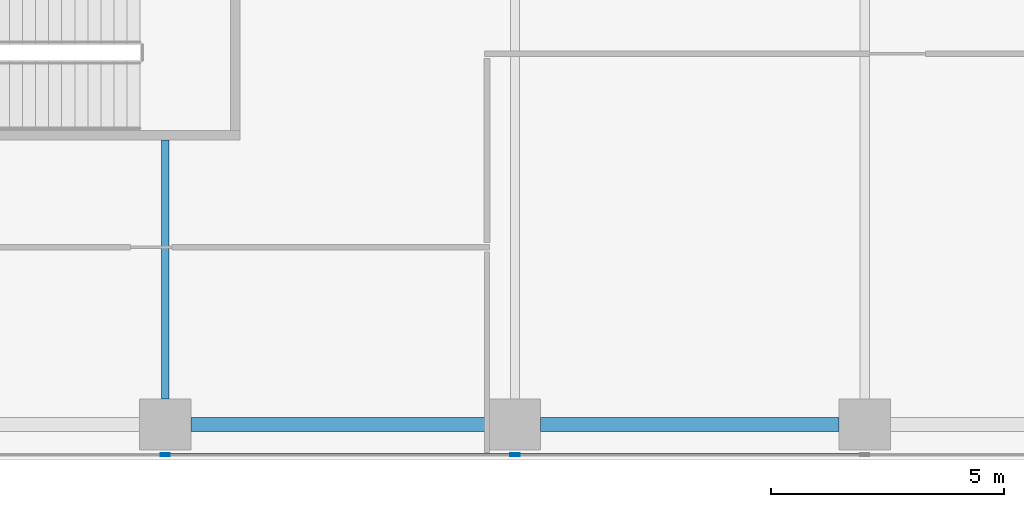
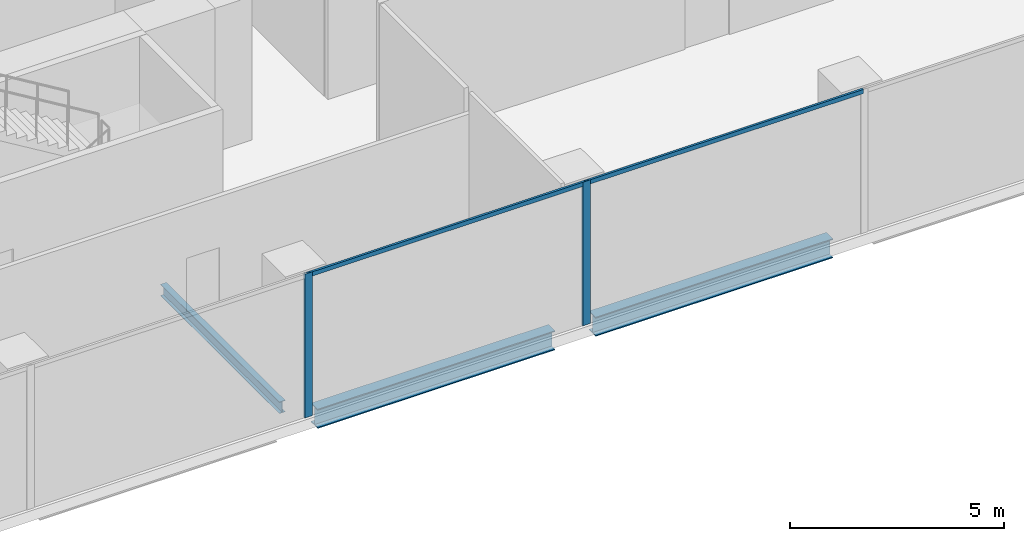
# One storey, part 5 of 33: 4 members, 3 beams, 1 element without a shape of its own.
"""IFC4 building model written with IfcOpenShell, lengths in metres."""

import ifcopenshell
import ifcopenshell.guid

model = None  # the IFC model being written
_history = None  # IfcOwnerHistory: only IFC2X3 demands one
_inside = {}  # id of a spatial element -> (the spatial element, [elements in it])
_under = {}  # id of a project, library or spatial element -> (it, [spatial elements below it])
_declared = {}  # id of a project -> (the project, [libraries it declares])
_typed = {}  # id of a type object -> (the type object, [elements of that type])
_made_of = {}  # id of a material, layer set ... -> (it, [elements and type objects made of it])


def new_model(schema):
    """Start an empty IFC model of exactly this schema.

    Asked for "IFC4X3", IfcOpenShell would pick the latest addendum, in which some entities
    have other attributes; the version numbers below select the first issue.
    IFC2X3 requires an IfcOwnerHistory on every rooted entity: one is made here for all.
    """
    global model, _history
    if schema == "IFC4X3":
        model = ifcopenshell.file(schema_version=(4, 3, 0, 0))
    else:
        model = ifcopenshell.file(schema=schema)
    _inside.clear()
    _under.clear()
    _declared.clear()
    _typed.clear()
    _made_of.clear()
    _history = None
    if model.schema == "IFC2X3":
        org = make("IfcOrganization", Name="unknown")
        user = make(
            "IfcPersonAndOrganization",
            ThePerson=make("IfcPerson", FamilyName="unknown"),
            TheOrganization=org,
        )
        app = make(
            "IfcApplication",
            ApplicationDeveloper=org,
            Version="unknown",
            ApplicationFullName="unknown",
            ApplicationIdentifier="unknown",
        )
        _history = make(
            "IfcOwnerHistory",
            OwningUser=user,
            OwningApplication=app,
            ChangeAction="ADDED",
            CreationDate=0,
        )
    return model


def make(cls, **values):
    """One entity of the class cls with the attributes given. An attribute that is None is left unset."""
    return model.create_entity(
        cls, **{name: value for name, value in values.items() if value is not None}
    )


def rooted(cls, **values):
    """An entity with a GlobalId (a new one), such as an element, a storey or a relation."""
    return make(cls, GlobalId=ifcopenshell.guid.new(), OwnerHistory=_history, **values)


def si_unit(unit_type, name, prefix=None):
    """IfcSIUnit, for example si_unit("LENGTHUNIT", "METRE", prefix="MILLI")."""
    return make("IfcSIUnit", UnitType=unit_type, Prefix=prefix, Name=name)


def assignment(units):
    """IfcUnitAssignment: the units of a project."""
    return None if units is None else make("IfcUnitAssignment", Units=units)


def point(xyz):
    """IfcCartesianPoint."""
    return None if xyz is None else make("IfcCartesianPoint", Coordinates=xyz)


def direction(xyz):
    """IfcDirection."""
    return None if xyz is None else make("IfcDirection", DirectionRatios=xyz)


def frame(location, z_axis=None, x_axis=None):
    """IfcAxis2Placement3D, a coordinate frame: its origin and axes. An axis left out is left unset."""
    return make(
        "IfcAxis2Placement3D",
        Location=point(location),
        Axis=direction(z_axis),
        RefDirection=direction(x_axis),
    )


def frame_2d(location, x_axis=None):
    """IfcAxis2Placement2D, a coordinate frame in the plane: its origin and x axis."""
    return make(
        "IfcAxis2Placement2D", Location=point(location), RefDirection=direction(x_axis)
    )


def origin():
    """The frame at (0, 0, 0) with its axes left unset."""
    return frame((0.0, 0.0, 0.0))


def origin_2d():
    """The frame at (0, 0) in the plane with its x axis left unset."""
    return frame_2d((0.0, 0.0))


def place(relative_to, where):
    """IfcLocalPlacement: puts the frame where relative to a parent placement (None: the world)."""
    return make(
        "IfcLocalPlacement", PlacementRelTo=relative_to, RelativePlacement=where
    )


def context(
    kind, dimensions, precision=None, world=None, true_north=None, identifier=None
):
    """IfcGeometricRepresentationContext, for example the 3D "Model" context."""
    return make(
        "IfcGeometricRepresentationContext",
        ContextIdentifier=identifier,
        ContextType=kind,
        CoordinateSpaceDimension=dimensions,
        Precision=precision,
        WorldCoordinateSystem=world,
        TrueNorth=true_north,
    )


def subcontext(parent, identifier, kind, view, scale=None):
    """IfcGeometricRepresentationSubContext, for example "Body" below "Model"."""
    return make(
        "IfcGeometricRepresentationSubContext",
        ContextIdentifier=identifier,
        ContextType=kind,
        ParentContext=parent,
        TargetScale=scale,
        TargetView=view,
    )


def project(units=None, contexts=None):
    """IfcProject with its units and contexts."""
    return rooted(
        "IfcProject",
        Name="project",
        RepresentationContexts=contexts,
        UnitsInContext=assignment(units),
    )


def spatial(cls, under=None, at=None, **own):
    """A site, building, storey or space (cls), placed at a placement, below another one or the project."""
    s = rooted(cls, ObjectPlacement=at, **own)
    if under is not None:
        _under.setdefault(under.id(), (under, []))[1].append(s)
    return s


def profile(cls, at=None, kind="AREA", **sizes):
    """A parametric profile (cls). Its sizes go by their IFC names, for example OverallWidth=200.0."""
    return make(cls, ProfileType=kind, Position=at, **sizes)


def hollow_rectangle(**sizes):
    """IfcRectangleHollowProfileDef."""
    return profile("IfcRectangleHollowProfileDef", **sizes)


def i_section(**sizes):
    """IfcIShapeProfileDef."""
    return profile("IfcIShapeProfileDef", **sizes)


def extrude(swept, where, along, depth):
    """IfcExtrudedAreaSolid: the profile swept, set in the frame where, extruded along a direction by depth."""
    return make(
        "IfcExtrudedAreaSolid",
        SweptArea=swept,
        Position=where,
        ExtrudedDirection=direction(along),
        Depth=depth,
    )


def shape(context_of_items, identifier, shape_type, items):
    """IfcShapeRepresentation: the items that make up one representation, for example the "Body"."""
    return make(
        "IfcShapeRepresentation",
        ContextOfItems=context_of_items,
        RepresentationIdentifier=identifier,
        RepresentationType=shape_type,
        Items=items,
    )


def source(mapping_origin, context_of_items, identifier, shape_type, items):
    """IfcRepresentationMap: a shape defined once, which mapped items show again and again."""
    return make(
        "IfcRepresentationMap",
        MappingOrigin=mapping_origin,
        MappedRepresentation=shape(context_of_items, identifier, shape_type, items),
    )


def transform(
    local_origin,
    x_axis=None,
    y_axis=None,
    z_axis=None,
    scale=None,
    scale2=None,
    scale3=None,
    uniform=True,
):
    """IfcCartesianTransformationOperator3D, or its non-uniform kind. x_axis, y_axis, z_axis: its Axis1, 2, 3."""
    if uniform:
        return make(
            "IfcCartesianTransformationOperator3D",
            Axis1=direction(x_axis),
            Axis2=direction(y_axis),
            LocalOrigin=point(local_origin),
            Scale=scale,
            Axis3=direction(z_axis),
        )
    return make(
        "IfcCartesianTransformationOperator3DnonUniform",
        Axis1=direction(x_axis),
        Axis2=direction(y_axis),
        LocalOrigin=point(local_origin),
        Scale=scale,
        Axis3=direction(z_axis),
        Scale2=scale2,
        Scale3=scale3,
    )


def mapped(mapping_source, mapping_target):
    """IfcMappedItem: shows the shape of a source again, moved by a transform."""
    return make(
        "IfcMappedItem", MappingSource=mapping_source, MappingTarget=mapping_target
    )


def material(Name=None, Category=None):
    """IfcMaterial."""
    return make("IfcMaterial", Name=Name, Category=Category)


def material_profile(
    of_material, cross_section, Name=None, Category=None, Priority=None
):
    """IfcMaterialProfile: a cross section and its material."""
    return make(
        "IfcMaterialProfile",
        Name=Name,
        Material=of_material,
        Profile=cross_section,
        Priority=Priority,
        Category=Category,
    )


def profile_set(profiles, Name=None, composite=None):
    """IfcMaterialProfileSet."""
    return make(
        "IfcMaterialProfileSet",
        Name=Name,
        MaterialProfiles=profiles,
        CompositeProfile=composite,
    )


def made_of(thing, what):
    """Note that an element or type object is made of a material, layer set ...; save() writes the relation."""
    if what is not None:
        _made_of.setdefault(what.id(), (what, []))[1].append(thing)
    return thing


def type_object(cls, material=None, **own):
    """A type object (cls), such as IfcWallType, which elements share."""
    return made_of(rooted(cls, **own), material)


def element(
    cls,
    number,
    at=None,
    inside=None,
    cuts=None,
    type_object=None,
    material=None,
    context=None,
    identifier="Body",
    shape_type=None,
    held_by="IfcProductDefinitionShape",
    body=None,
    shapes=None,
    **own,
):
    """One element of the class cls, such as IfcWall. Its Tag is "e" and its number.

    at: its placement. inside: the storey or other place that contains it. cuts: it is an
    opening in that element (IfcRelVoidsElement). A single representation is given by context,
    identifier, shape_type and body (its items); several are given by shapes. held_by: the class
    of the entity that holds the representations. save() writes the other relations.
    """
    e = rooted(cls, Tag="e%d" % number, ObjectPlacement=at, **own)
    if body is not None:
        shapes = [shape(context, identifier, shape_type, body)]
    if shapes is not None:
        e.Representation = make(held_by, Representations=shapes)
    if inside is not None:
        _inside.setdefault(inside.id(), (inside, []))[1].append(e)
    if cuts is not None:
        rooted(
            "IfcRelVoidsElement", RelatingBuildingElement=cuts, RelatedOpeningElement=e
        )
    if type_object is not None:
        _typed.setdefault(type_object.id(), (type_object, []))[1].append(e)
    return made_of(e, material)


def aggregate(whole, parts):
    """IfcRelAggregates: a whole, such as a stair, and the parts it consists of."""
    return rooted("IfcRelAggregates", RelatingObject=whole, RelatedObjects=parts)


def save(model, path):
    """Write the relations noted so far, then the file.

    IfcRelAggregates (storeys below a building ...), IfcRelContainedInSpatialStructure (elements
    in a storey), IfcRelDefinesByType, IfcRelAssociatesMaterial and IfcRelDeclares: one each for
    every whole, place, type object, material and project.
    """
    for whole, parts in _under.values():
        aggregate(whole, parts)
    for where, things in _inside.values():
        rooted(
            "IfcRelContainedInSpatialStructure",
            RelatedElements=things,
            RelatingStructure=where,
        )
    for kind, things in _typed.values():
        rooted("IfcRelDefinesByType", RelatedObjects=things, RelatingType=kind)
    for what, things in _made_of.values():
        rooted("IfcRelAssociatesMaterial", RelatedObjects=things, RelatingMaterial=what)
    for by, libraries in _declared.values():
        rooted("IfcRelDeclares", RelatingContext=by, RelatedDefinitions=libraries)
    model.write(path)


model = new_model("IFC4")

# Units and contexts
model_context = context("Model", 3, precision=1e-05, world=origin(), true_north=direction((0.0, 1.0)))
body_context = subcontext(model_context, "Body", "Model", "MODEL_VIEW")
ifc_project = project(units=[si_unit("LENGTHUNIT", "METRE"), si_unit("AREAUNIT", "SQUARE_METRE"), si_unit("VOLUMEUNIT", "CUBIC_METRE"), si_unit("PLANEANGLEUNIT", "RADIAN"), si_unit("MASSUNIT", "GRAM", prefix="KILO")], contexts=[model_context])

# Site, building, storey
site_placement = place(None, origin())
site = spatial("IfcSite", under=ifc_project, at=site_placement, CompositionType="ELEMENT")
building_placement = place(site_placement, origin())
building = spatial("IfcBuilding", under=site, at=building_placement, Name="Khomas Fold Tower", CompositionType="ELEMENT")
storey_placement = place(building_placement, frame((0.0, 0.0, 149.89990234375)))
storey = spatial("IfcBuildingStorey", under=building, at=storey_placement, Name="L32", CompositionType="ELEMENT", Elevation=149.89990234375)

# Beams
ifc_material_1 = material(Name="Steel S355", Category="steel")
ifc_material_profile_1 = material_profile(ifc_material_1, i_section(OverallWidth=0.300048828125, OverallDepth=0.550048828125, WebThickness=0.014892578125, FlangeThickness=0.029052734375, at=origin_2d()), Name="HE 550 B")
ifc_profile_set_1 = profile_set([ifc_material_profile_1], Name="Steel S355")
beam_type_1 = type_object("IfcBeamType", Name="HE 550 B spandrel SB2", PredefinedType="SPANDREL", material=ifc_profile_set_1)
shared_shape_1 = source(origin(), body_context, "Body", "SweptSolid", [
    extrude(i_section(OverallWidth=0.300048828125, OverallDepth=0.550048828125, WebThickness=0.014892578125, FlangeThickness=0.029052734375, at=origin_2d()), origin(), (0.0, 0.0, 1.0), 6.39990234375),
])
for number, where, z_axis, x_axis, name in (
    (1, (20.050048828125, 2.25, -0.574951171875), (1.0, 0.0, 0.0), (0.0, 1.0, 0.0), "SB2"),
    (2, (27.550048828125, 2.25, -0.574951171875), (1.0, 0.0, 0.0), (0.0, 1.0, 0.0), "SB2"),
):
    element("IfcBeam", number, at=place(storey_placement, frame(where, z_axis=z_axis, x_axis=x_axis)), inside=storey, type_object=beam_type_1, Name=name, PredefinedType="SPANDREL", context=body_context, shape_type="MappedRepresentation", body=[
        mapped(shared_shape_1, transform((0.0, 0.0, 0.0))),
    ])
ifc_material_2 = material(Name="Steel S355", Category="steel")
ifc_material_profile_2 = material_profile(ifc_material_2, i_section(OverallWidth=0.159912109375, OverallDepth=0.330078125, WebThickness=0.007568359375, FlangeThickness=0.011474609375, at=origin_2d()), Name="IPE 330")
ifc_profile_set_2 = profile_set([ifc_material_profile_2], Name="Steel S355")
beam_type_2 = type_object("IfcBeamType", Name="IPE 330 beam JB1", PredefinedType="BEAM", material=ifc_profile_set_2)
shared_shape_2 = source(origin(), body_context, "Body", "SweptSolid", [
    extrude(i_section(OverallWidth=0.159912109375, OverallDepth=0.330078125, WebThickness=0.007568359375, FlangeThickness=0.011474609375, at=origin_2d()), origin(), (0.0, 0.0, 1.0), 5.550048828125),
])
beam_placement = place(storey_placement, frame((19.5, 2.800048828125, -0.46484375), z_axis=(0.0, 1.0, 0.0), x_axis=(-1.0, 0.0, 0.0)))
element("IfcBeam", 3, at=beam_placement, inside=storey, type_object=beam_type_2, Name="JB1", PredefinedType="BEAM", context=body_context, shape_type="MappedRepresentation", body=[
    mapped(shared_shape_2, transform((0.0, 0.0, 0.0))),
])

# Curtain wall, members
ifc_material_3 = material(Name="Aluminium framed double glazing", Category="aluminium")
curtain_wall_type = type_object("IfcCurtainWallType", Name="SK-Unitised clear-glass wall, growing floors CW1", PredefinedType="NOTDEFINED", material=ifc_material_3)
curtain_wall_placement = place(storey_placement, origin())
curtain_wall = element("IfcCurtainWall", 4, at=curtain_wall_placement, inside=storey, type_object=curtain_wall_type, Name="CW1 run L32 00-0", PredefinedType="NOTDEFINED")
ifc_material_4 = material(Name="Aluminium", Category="aluminium")
ifc_material_profile_3 = material_profile(ifc_material_4, hollow_rectangle(XDim=0.06005859375, YDim=0.1201171875, WallThickness=0.00390625, at=origin_2d()), Name="SK-Unitised clear-glass wall, growing floors transom CW1-T")
ifc_profile_set_3 = profile_set([ifc_material_profile_3], Name="Aluminium")
member_type_1 = type_object("IfcMemberType", Name="SK-Unitised clear-glass wall, growing floors transom CW1-T", PredefinedType="USERDEFINED", material=ifc_profile_set_3)
shared_shape_3 = source(origin(), body_context, "Body", "SweptSolid", [
    extrude(hollow_rectangle(XDim=0.06005859375, YDim=0.1201171875, WallThickness=0.00390625, at=origin_2d()), origin(), (0.0, 0.0, 1.0), 7.43994140625),
])
member_1_placement = place(storey_placement, frame((19.530029296875, 1.60009765625, 4.0400390625), z_axis=(1.0, 0.0, 0.0), x_axis=(0.0, 1.0, 0.0)))
member_1 = element("IfcMember", 5, at=member_1_placement, type_object=member_type_1, Name="CW1 transom 4", ObjectType="TRANSOM", PredefinedType="USERDEFINED", context=body_context, shape_type="MappedRepresentation", body=[
    mapped(shared_shape_3, transform((0.0, 0.0, 0.0))),
])
member_2_placement = place(storey_placement, frame((27.030029296875, 1.60009765625, 4.0400390625), z_axis=(1.0, 0.0, 0.0), x_axis=(0.0, 1.0, 0.0)))
member_2 = element("IfcMember", 6, at=member_2_placement, type_object=member_type_1, Name="CW1 transom 5", ObjectType="TRANSOM", PredefinedType="USERDEFINED", context=body_context, shape_type="MappedRepresentation", body=[
    mapped(shared_shape_3, transform((0.0, 0.0, 0.0))),
])
ifc_material_5 = material(Name="Aluminium", Category="aluminium")
ifc_material_profile_4 = material_profile(ifc_material_5, hollow_rectangle(XDim=0.06005859375, YDim=0.199951171875, WallThickness=0.00390625, at=origin_2d()), Name="SK-Unitised clear-glass wall, growing floors mullion CW1-M")
ifc_profile_set_4 = profile_set([ifc_material_profile_4], Name="Aluminium")
member_type_2 = type_object("IfcMemberType", Name="SK-Unitised clear-glass wall, growing floors mullion CW1-M", PredefinedType="MULLION", material=ifc_profile_set_4)
shared_shape_4 = source(origin(), body_context, "Body", "SweptSolid", [
    extrude(hollow_rectangle(XDim=0.06005859375, YDim=0.199951171875, WallThickness=0.00390625, at=origin_2d()), origin(), (0.0, 0.0, 1.0), 4.10009765625),
])
member_3_placement = place(storey_placement, frame((19.5, 1.60009765625, 0.0), z_axis=(0.0, 0.0, 1.0), x_axis=(0.0, 1.0, 0.0)))
member_3 = element("IfcMember", 7, at=member_3_placement, type_object=member_type_2, Name="CW1 mullion 4", PredefinedType="MULLION", context=body_context, shape_type="MappedRepresentation", body=[
    mapped(shared_shape_4, transform((0.0, 0.0, 0.0))),
])
member_4_placement = place(storey_placement, frame((27.0, 1.60009765625, 0.0), z_axis=(0.0, 0.0, 1.0), x_axis=(0.0, 1.0, 0.0)))
member_4 = element("IfcMember", 8, at=member_4_placement, type_object=member_type_2, Name="CW1 mullion 5", PredefinedType="MULLION", context=body_context, shape_type="MappedRepresentation", body=[
    mapped(shared_shape_4, transform((0.0, 0.0, 0.0))),
])
aggregate(curtain_wall, [member_3, member_4, member_1, member_2])

save(model, "model.ifc")
